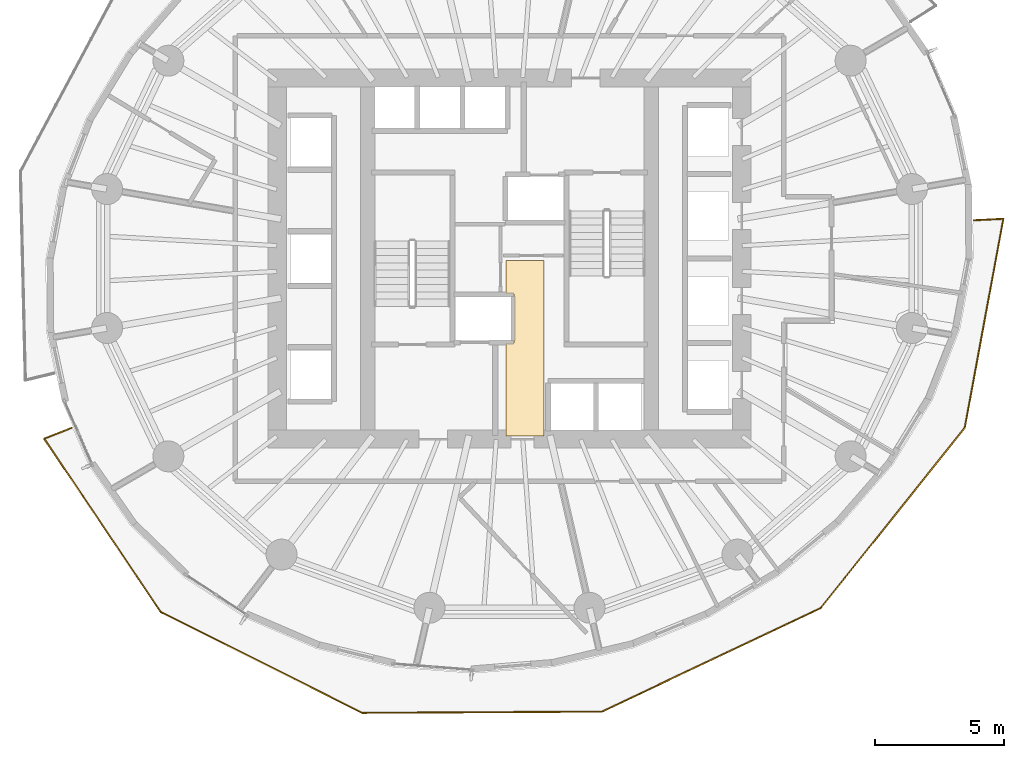
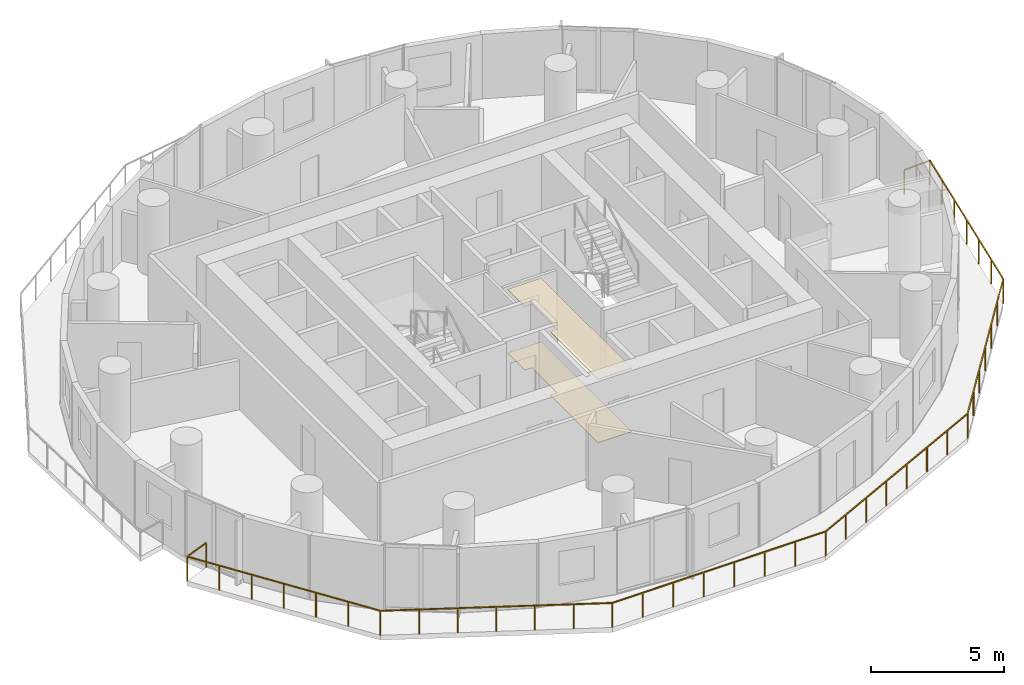
# One storey, part 12 of 14: 2 coverings, 1 railing.
"""IFC4 building model written with IfcOpenShell, lengths in metres."""

from ifc_helpers import new_model, si_unit, direction, frame, origin, origin_2d, place, context, subcontext, project, spatial, polyline, rectangle, outline, extrude, material, layer, layer_set, type_object, element, save


model = new_model("IFC4")

# Units and contexts
model_context = context("Model", 3, precision=1e-05, world=origin(), true_north=direction((0.0, 1.0)))
body_context = subcontext(model_context, "Body", "Model", "MODEL_VIEW")
ifc_project = project(units=[si_unit("LENGTHUNIT", "METRE"), si_unit("AREAUNIT", "SQUARE_METRE"), si_unit("VOLUMEUNIT", "CUBIC_METRE"), si_unit("PLANEANGLEUNIT", "RADIAN"), si_unit("MASSUNIT", "GRAM", prefix="KILO")], contexts=[model_context])

# Site, building, storey
site_placement = place(None, origin())
site = spatial("IfcSite", under=ifc_project, at=site_placement, CompositionType="ELEMENT")
building_placement = place(site_placement, origin())
building = spatial("IfcBuilding", under=site, at=building_placement, Name="Veldorim Arch Residences", CompositionType="ELEMENT")
storey_placement = place(building_placement, frame((0.0, 0.0, 77.280029296875)))
storey = spatial("IfcBuildingStorey", under=building, at=storey_placement, Name="L22", CompositionType="ELEMENT", Elevation=77.280029296875)

# Railing
ifc_material_1 = material(Name="Aluminium", Category="aluminium")
railing_type = type_object("IfcRailingType", Name="Balcony & Terrace Laminated Glass Balustrade 1150", PredefinedType="BALUSTRADE", material=ifc_material_1)
railing_placement = place(storey_placement, frame((15.0341796875, 17.442138671875, 0.0)))
element("IfcRailing", 1, at=railing_placement, inside=storey, type_object=railing_type, Name="L22 crescent balcony safety balustrade B", PredefinedType="BALUSTRADE", context=body_context, shape_type="SweptSolid", body=[
    extrude(rectangle(XDim=0.048095703125, YDim=0.048095703125, at=origin_2d()), frame((0.0, 0.0, 1.1259765625), z_axis=(-0.92933811404, -0.369229833291, 0.0), x_axis=(0.369229833291, -0.92933811404, 0.0)), (0.0, 0.0, 1.0), 1.14990234375),
    extrude(rectangle(XDim=0.048095703125, YDim=0.048095703125, at=origin_2d()), frame((-1.068603515625, -0.424560546875, 1.1259765625), z_axis=(0.558100400409, -0.829773428753, 0.0), x_axis=(0.829773428753, 0.558100400409, 0.0)), (0.0, 0.0, 1.0), 8.091552734375),
    extrude(rectangle(XDim=0.048095703125, YDim=0.048095703125, at=origin_2d()), frame((3.447265625, -7.138671875, 1.1259765625), z_axis=(0.894024266109, -0.448018539358, 0.0), x_axis=(0.448018539358, 0.894024266109, 0.0)), (0.0, 0.0, 1.0), 8.733154296875),
    extrude(rectangle(XDim=0.048095703125, YDim=0.048095703125, at=origin_2d()), frame((11.2548828125, -11.05126953125, 1.1259765625), z_axis=(0.999986608104, 0.005175288633, 0.0), x_axis=(-0.005175288633, 0.999986608104, 0.0)), (0.0, 0.0, 1.0), 9.29345703125),
    extrude(rectangle(XDim=0.048095703125, YDim=0.048095703125, at=origin_2d()), frame((20.548095703125, -11.003173828125, 1.1259765625), z_axis=(0.903720887501, 0.428122129181, 0.0), x_axis=(-0.428122129181, 0.903720887501, 0.0)), (0.0, 0.0, 1.0), 9.384765625),
    extrude(rectangle(XDim=0.048095703125, YDim=0.048095703125, at=origin_2d()), frame((29.029296875, -6.9853515625, 1.1259765625), z_axis=(0.624355222481, 0.781140548276, 0.0), x_axis=(-0.781140548276, 0.624355222481, 0.0)), (0.0, 0.0, 1.0), 8.938232421875),
    extrude(rectangle(XDim=0.048095703125, YDim=0.048095703125, at=origin_2d()), frame((34.60986328125, -0.00341796875, 1.1259765625), z_axis=(0.181614929451, 0.983369725689, 0.0), x_axis=(-0.983369725689, 0.181614929451, 0.0)), (0.0, 0.0, 1.0), 8.239013671875),
    extrude(rectangle(XDim=0.048095703125, YDim=0.048095703125, at=origin_2d()), frame((36.106201171875, 8.0986328125, 1.1259765625), z_axis=(-0.998775527664, -0.049471661978, 0.0), x_axis=(0.049471661978, -0.998775527664, 0.0)), (0.0, 0.0, 1.0), 1.14990234375),
    extrude(rectangle(XDim=0.0419921875, YDim=0.0419921875, at=origin_2d()), origin(), (0.0, 0.0, 1.0), 1.101806640625),
    extrude(rectangle(XDim=0.0419921875, YDim=0.0419921875, at=origin_2d()), frame((-1.068603515625, -0.424560546875, 0.0)), (0.0, 0.0, 1.0), 1.101806640625),
    extrude(rectangle(XDim=0.0419921875, YDim=0.0419921875, at=origin_2d()), frame((-0.31591796875, -1.54345703125, 0.0)), (0.0, 0.0, 1.0), 1.101806640625),
    extrude(rectangle(XDim=0.0419921875, YDim=0.0419921875, at=origin_2d()), frame((0.436767578125, -2.66259765625, 0.0)), (0.0, 0.0, 1.0), 1.101806640625),
    extrude(rectangle(XDim=0.0419921875, YDim=0.0419921875, at=origin_2d()), frame((1.189453125, -3.78173828125, 0.0)), (0.0, 0.0, 1.0), 1.101806640625),
    extrude(rectangle(XDim=0.0419921875, YDim=0.0419921875, at=origin_2d()), frame((1.94189453125, -4.900634765625, 0.0)), (0.0, 0.0, 1.0), 1.101806640625),
    extrude(rectangle(XDim=0.0419921875, YDim=0.0419921875, at=origin_2d()), frame((2.694580078125, -6.01953125, 0.0)), (0.0, 0.0, 1.0), 1.101806640625),
    extrude(rectangle(XDim=0.0419921875, YDim=0.0419921875, at=origin_2d()), frame((3.447265625, -7.138671875, 0.0)), (0.0, 0.0, 1.0), 1.101806640625),
    extrude(rectangle(XDim=0.0419921875, YDim=0.0419921875, at=origin_2d()), frame((4.74853515625, -7.790771484375, 0.0)), (0.0, 0.0, 1.0), 1.101806640625),
    extrude(rectangle(XDim=0.0419921875, YDim=0.0419921875, at=origin_2d()), frame((6.0498046875, -8.44287109375, 0.0)), (0.0, 0.0, 1.0), 1.101806640625),
    extrude(rectangle(XDim=0.0419921875, YDim=0.0419921875, at=origin_2d()), frame((7.35107421875, -9.094970703125, 0.0)), (0.0, 0.0, 1.0), 1.101806640625),
    extrude(rectangle(XDim=0.0419921875, YDim=0.0419921875, at=origin_2d()), frame((8.65234375, -9.7470703125, 0.0)), (0.0, 0.0, 1.0), 1.101806640625),
    extrude(rectangle(XDim=0.0419921875, YDim=0.0419921875, at=origin_2d()), frame((9.95361328125, -10.399169921875, 0.0)), (0.0, 0.0, 1.0), 1.101806640625),
    extrude(rectangle(XDim=0.0419921875, YDim=0.0419921875, at=origin_2d()), frame((11.2548828125, -11.05126953125, 0.0)), (0.0, 0.0, 1.0), 1.101806640625),
    extrude(rectangle(XDim=0.0419921875, YDim=0.0419921875, at=origin_2d()), frame((12.58251953125, -11.04443359375, 0.0)), (0.0, 0.0, 1.0), 1.101806640625),
    extrude(rectangle(XDim=0.0419921875, YDim=0.0419921875, at=origin_2d()), frame((13.91015625, -11.03759765625, 0.0)), (0.0, 0.0, 1.0), 1.101806640625),
    extrude(rectangle(XDim=0.0419921875, YDim=0.0419921875, at=origin_2d()), frame((15.23779296875, -11.03076171875, 0.0)), (0.0, 0.0, 1.0), 1.101806640625),
    extrude(rectangle(XDim=0.0419921875, YDim=0.0419921875, at=origin_2d()), frame((16.565185546875, -11.023681640625, 0.0)), (0.0, 0.0, 1.0), 1.101806640625),
    extrude(rectangle(XDim=0.0419921875, YDim=0.0419921875, at=origin_2d()), frame((17.892822265625, -11.016845703125, 0.0)), (0.0, 0.0, 1.0), 1.101806640625),
    extrude(rectangle(XDim=0.0419921875, YDim=0.0419921875, at=origin_2d()), frame((19.220458984375, -11.010009765625, 0.0)), (0.0, 0.0, 1.0), 1.101806640625),
    extrude(rectangle(XDim=0.0419921875, YDim=0.0419921875, at=origin_2d()), frame((20.548095703125, -11.003173828125, 0.0)), (0.0, 0.0, 1.0), 1.101806640625),
    extrude(rectangle(XDim=0.0419921875, YDim=0.0419921875, at=origin_2d()), frame((21.759765625, -10.42919921875, 0.0)), (0.0, 0.0, 1.0), 1.101806640625),
    extrude(rectangle(XDim=0.0419921875, YDim=0.0419921875, at=origin_2d()), frame((22.97119140625, -9.855224609375, 0.0)), (0.0, 0.0, 1.0), 1.101806640625),
    extrude(rectangle(XDim=0.0419921875, YDim=0.0419921875, at=origin_2d()), frame((24.182861328125, -9.28125, 0.0)), (0.0, 0.0, 1.0), 1.101806640625),
    extrude(rectangle(XDim=0.0419921875, YDim=0.0419921875, at=origin_2d()), frame((25.39453125, -8.707275390625, 0.0)), (0.0, 0.0, 1.0), 1.101806640625),
    extrude(rectangle(XDim=0.0419921875, YDim=0.0419921875, at=origin_2d()), frame((26.606201171875, -8.13330078125, 0.0)), (0.0, 0.0, 1.0), 1.101806640625),
    extrude(rectangle(XDim=0.0419921875, YDim=0.0419921875, at=origin_2d()), frame((27.817626953125, -7.559326171875, 0.0)), (0.0, 0.0, 1.0), 1.101806640625),
    extrude(rectangle(XDim=0.0419921875, YDim=0.0419921875, at=origin_2d()), frame((29.029296875, -6.9853515625, 0.0)), (0.0, 0.0, 1.0), 1.101806640625),
    extrude(rectangle(XDim=0.0419921875, YDim=0.0419921875, at=origin_2d()), frame((29.95947265625, -5.82177734375, 0.0)), (0.0, 0.0, 1.0), 1.101806640625),
    extrude(rectangle(XDim=0.0419921875, YDim=0.0419921875, at=origin_2d()), frame((30.889404296875, -4.657958984375, 0.0)), (0.0, 0.0, 1.0), 1.101806640625),
    extrude(rectangle(XDim=0.0419921875, YDim=0.0419921875, at=origin_2d()), frame((31.819580078125, -3.494384765625, 0.0)), (0.0, 0.0, 1.0), 1.101806640625),
    extrude(rectangle(XDim=0.0419921875, YDim=0.0419921875, at=origin_2d()), frame((32.749755859375, -2.330810546875, 0.0)), (0.0, 0.0, 1.0), 1.101806640625),
    extrude(rectangle(XDim=0.0419921875, YDim=0.0419921875, at=origin_2d()), frame((33.6796875, -1.1669921875, 0.0)), (0.0, 0.0, 1.0), 1.101806640625),
    extrude(rectangle(XDim=0.0419921875, YDim=0.0419921875, at=origin_2d()), frame((34.60986328125, -0.00341796875, 0.0)), (0.0, 0.0, 1.0), 1.101806640625),
    extrude(rectangle(XDim=0.0419921875, YDim=0.0419921875, at=origin_2d()), frame((34.859375, 1.346923828125, 0.0)), (0.0, 0.0, 1.0), 1.101806640625),
    extrude(rectangle(XDim=0.0419921875, YDim=0.0419921875, at=origin_2d()), frame((35.108642578125, 2.697265625, 0.0)), (0.0, 0.0, 1.0), 1.101806640625),
    extrude(rectangle(XDim=0.0419921875, YDim=0.0419921875, at=origin_2d()), frame((35.35791015625, 4.047607421875, 0.0)), (0.0, 0.0, 1.0), 1.101806640625),
    extrude(rectangle(XDim=0.0419921875, YDim=0.0419921875, at=origin_2d()), frame((35.607421875, 5.39794921875, 0.0)), (0.0, 0.0, 1.0), 1.101806640625),
    extrude(rectangle(XDim=0.0419921875, YDim=0.0419921875, at=origin_2d()), frame((35.85693359375, 6.748291015625, 0.0)), (0.0, 0.0, 1.0), 1.101806640625),
    extrude(rectangle(XDim=0.0419921875, YDim=0.0419921875, at=origin_2d()), frame((36.106201171875, 8.0986328125, 0.0)), (0.0, 0.0, 1.0), 1.101806640625),
    extrude(rectangle(XDim=0.0419921875, YDim=0.0419921875, at=origin_2d()), frame((34.957763671875, 8.041748046875, 0.0)), (0.0, 0.0, 1.0), 1.101806640625),
])

# Coverings
ifc_material_2 = material(Name="Acoustic Gypsum & Mineral Fibre", Category="gypsum")
ifc_layer_1 = layer(ifc_material_2, 0.034912109375, Name="Perforated Acoustic Mineral-Fibre Ceiling 35")
ifc_layer_set_1 = layer_set([ifc_layer_1], Name="Acoustic Gypsum & Mineral Fibre")
covering_type_1 = type_object("IfcCoveringType", Name="Perforated Acoustic Mineral-Fibre Ceiling 35", PredefinedType="CEILING", material=ifc_layer_set_1)
covering_1_placement = place(storey_placement, frame((0.0, 0.0, 2.905029296875)))
element("IfcCovering", 2, at=covering_1_placement, inside=storey, type_object=covering_type_1, Name="L22 acoustic suspended ceiling 01", PredefinedType="CEILING", context=body_context, shape_type="SweptSolid", body=[
    extrude(outline(polyline([(33.330078125, 23.929931640625), (33.330078125, 17.1201171875), (31.8701171875, 17.1201171875), (31.8701171875, 20.735107421875), (32.169921875, 20.735107421875), (32.169921875, 22.625), (31.8701171875, 22.625), (31.8701171875, 23.929931640625), (33.330078125, 23.929931640625)])), origin(), (0.0, 0.0, 1.0), 0.034912109375),
])
ifc_material_3 = material(Name="Porcelain Ceramic Tile", Category="ceramic")
ifc_layer_2 = layer(ifc_material_3, 0.02001953125, Name="Slip-Resistant Porcelain & Vinyl Floor Finish 20")
ifc_layer_set_2 = layer_set([ifc_layer_2], Name="Porcelain Ceramic Tile")
covering_type_2 = type_object("IfcCoveringType", Name="Slip-Resistant Porcelain & Vinyl Floor Finish 20", PredefinedType="FLOORING", material=ifc_layer_set_2)
covering_2_placement = place(storey_placement, origin())
element("IfcCovering", 3, at=covering_2_placement, inside=storey, type_object=covering_type_2, Name="L22 porcelain floor finish 01", PredefinedType="FLOORING", context=body_context, shape_type="SweptSolid", body=[
    extrude(outline(polyline([(33.330078125, 23.929931640625), (33.330078125, 17.1201171875), (31.8701171875, 17.1201171875), (31.8701171875, 20.735107421875), (32.169921875, 20.735107421875), (32.169921875, 22.625), (31.8701171875, 22.625), (31.8701171875, 23.929931640625), (33.330078125, 23.929931640625)])), origin(), (0.0, 0.0, 1.0), 0.02001953125),
])

save(model, "model.ifc")
